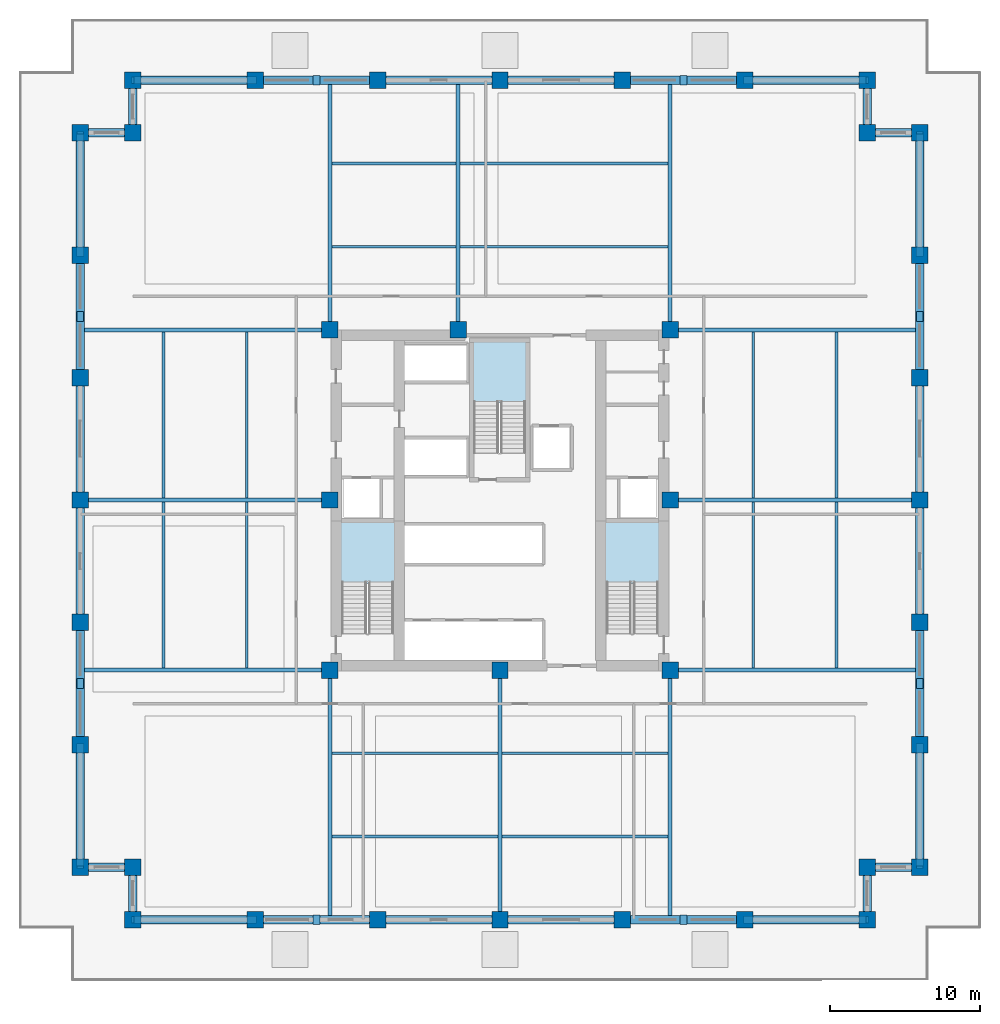
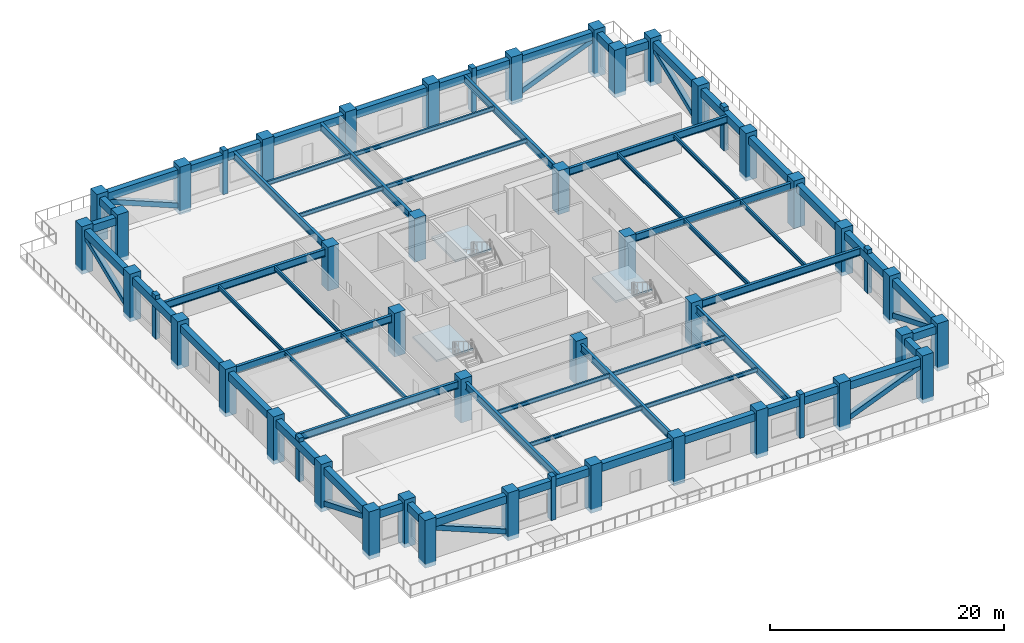
# One storey, part 1 of 13: 60 beams, 40 columns, 16 members, 3 slabs, 3 elements without a shape of their own.
"""IFC4 building model written with IfcOpenShell, lengths in metres."""

from ifc_helpers import new_model, si_unit, direction, frame, origin, origin_2d, place, context, subcontext, project, spatial, polyline, rectangle, hollow_rectangle, i_section, outline, extrude, material, layer, layer_set, material_profile, profile_set, type_object, element, aggregate, save


model = new_model("IFC4")

# Units and contexts
model_context = context("Model", 3, precision=1e-05, world=origin(), true_north=direction((0.0, 1.0)))
body_context = subcontext(model_context, "Body", "Model", "MODEL_VIEW")
ifc_project = project(units=[si_unit("LENGTHUNIT", "METRE"), si_unit("AREAUNIT", "SQUARE_METRE"), si_unit("VOLUMEUNIT", "CUBIC_METRE"), si_unit("PLANEANGLEUNIT", "RADIAN"), si_unit("MASSUNIT", "GRAM", prefix="KILO")], contexts=[model_context])

# Site, building, storey
site_placement = place(None, origin())
site = spatial("IfcSite", under=ifc_project, at=site_placement, CompositionType="ELEMENT")
building_placement = place(site_placement, origin())
building = spatial("IfcBuilding", under=site, at=building_placement, Name="Nhamokura Convention Tower", CompositionType="ELEMENT")
storey_placement = place(building_placement, frame((0.0, 0.0, 34.300048828125)))
storey = spatial("IfcBuildingStorey", under=building, at=storey_placement, Name="L06", CompositionType="ELEMENT", Elevation=34.300048828125)

# Columns
ifc_material_1 = material(Name="Concrete C60/75", Category="concrete")
ifc_material_profile_1 = material_profile(ifc_material_1, rectangle(XDim=1.10009765625, YDim=1.10009765625, at=origin_2d()))
ifc_profile_set_1 = profile_set([ifc_material_profile_1], Name="Concrete C60/75")
column_type = type_object("IfcColumnType", Name="TubeColumn_Z1_1100", PredefinedType="COLUMN", material=ifc_profile_set_1)
for number, where, z_axis, x_axis, name in (
    (1, (20.64990234375, 20.64990234375, 0.0), (0.0, 0.0, 1.0), (1.0, 0.0, 0.0), "L06 Core Column CC-SW"),
    (2, (32.0, 20.64990234375, 0.0), (0.0, 0.0, 1.0), (1.0, 0.0, 0.0), "L06 Core Column CC-S"),
    (3, (43.35009765625, 20.64990234375, 0.0), (0.0, 0.0, 1.0), (1.0, 0.0, 0.0), "L06 Core Column CC-SE"),
    (4, (43.35009765625, 32.0, 0.0), (0.0, 0.0, 1.0), (1.0, 0.0, 0.0), "L06 Core Column CC-E"),
    (5, (43.35009765625, 43.35009765625, 0.0), (0.0, 0.0, 1.0), (1.0, 0.0, 0.0), "L06 Core Column CC-NE"),
    (6, (29.199951171875, 43.35009765625, 0.0), (0.0, 0.0, 1.0), (1.0, 0.0, 0.0), "L06 Core Column CC-N"),
    (7, (20.64990234375, 43.35009765625, 0.0), (0.0, 0.0, 1.0), (1.0, 0.0, 0.0), "L06 Core Column CC-NW"),
    (8, (20.64990234375, 32.0, 0.0), (0.0, 0.0, 1.0), (1.0, 0.0, 0.0), "L06 Core Column CC-W"),
):
    element("IfcColumn", number, at=place(storey_placement, frame(where, z_axis=z_axis, x_axis=x_axis)), inside=storey, type_object=column_type, Name=name, PredefinedType="COLUMN", context=body_context, shape_type="SweptSolid", body=[
        extrude(rectangle(XDim=1.10009765625, YDim=1.10009765625, at=origin_2d()), origin(), (0.0, 0.0, 1.0), 4.550048828125),
    ])
for number, where, z_axis, x_axis, name in (
    (9, (7.5, 4.0, -0.420166015625), (0.0, 0.0, 1.0), (1.0, 0.0, 0.0), "L06 Perimeter Tube Column SW1"),
    (10, (7.5, 7.5, -0.420166015625), (0.0, 0.0, 1.0), (1.0, 0.0, 0.0), "L06 Perimeter Tube Column SW0"),
    (11, (4.0, 7.5, -0.420166015625), (0.0, 0.0, 1.0), (1.0, 0.0, 0.0), "L06 Perimeter Tube Column SW2"),
    (12, (56.5, 4.0, -0.420166015625), (0.0, 0.0, 1.0), (1.0, 0.0, 0.0), "L06 Perimeter Tube Column SE1"),
    (13, (56.5, 7.5, -0.420166015625), (0.0, 0.0, 1.0), (1.0, 0.0, 0.0), "L06 Perimeter Tube Column SE0"),
    (14, (60.0, 7.5, -0.420166015625), (0.0, 0.0, 1.0), (1.0, 0.0, 0.0), "L06 Perimeter Tube Column SE2"),
    (15, (60.0, 56.5, -0.420166015625), (0.0, 0.0, 1.0), (1.0, 0.0, 0.0), "L06 Perimeter Tube Column NE1"),
    (16, (56.5, 56.5, -0.420166015625), (0.0, 0.0, 1.0), (1.0, 0.0, 0.0), "L06 Perimeter Tube Column NE0"),
    (17, (56.5, 60.0, -0.420166015625), (0.0, 0.0, 1.0), (1.0, 0.0, 0.0), "L06 Perimeter Tube Column NE2"),
    (18, (7.5, 60.0, -0.420166015625), (0.0, 0.0, 1.0), (1.0, 0.0, 0.0), "L06 Perimeter Tube Column NW1"),
    (19, (7.5, 56.5, -0.420166015625), (0.0, 0.0, 1.0), (1.0, 0.0, 0.0), "L06 Perimeter Tube Column NW0"),
    (20, (4.0, 56.5, -0.420166015625), (0.0, 0.0, 1.0), (1.0, 0.0, 0.0), "L06 Perimeter Tube Column NW2"),
    (21, (15.666748046875, 4.0, -0.420166015625), (0.0, 0.0, 1.0), (1.0, 0.0, 0.0), "L06 Perimeter Tube Column S1"),
    (22, (15.666748046875, 60.0, -0.420166015625), (0.0, 0.0, 1.0), (1.0, 0.0, 0.0), "L06 Perimeter Tube Column N1"),
    (23, (4.0, 15.666748046875, -0.420166015625), (0.0, 0.0, 1.0), (1.0, 0.0, 0.0), "L06 Perimeter Tube Column W1"),
    (24, (60.0, 15.666748046875, -0.420166015625), (0.0, 0.0, 1.0), (1.0, 0.0, 0.0), "L06 Perimeter Tube Column E1"),
    (25, (23.833251953125, 4.0, -0.420166015625), (0.0, 0.0, 1.0), (1.0, 0.0, 0.0), "L06 Perimeter Tube Column S2"),
    (26, (23.833251953125, 60.0, -0.420166015625), (0.0, 0.0, 1.0), (1.0, 0.0, 0.0), "L06 Perimeter Tube Column N2"),
    (27, (4.0, 23.833251953125, -0.420166015625), (0.0, 0.0, 1.0), (1.0, 0.0, 0.0), "L06 Perimeter Tube Column W2"),
    (28, (60.0, 23.833251953125, -0.420166015625), (0.0, 0.0, 1.0), (1.0, 0.0, 0.0), "L06 Perimeter Tube Column E2"),
    (29, (32.0, 4.0, -0.420166015625), (0.0, 0.0, 1.0), (1.0, 0.0, 0.0), "L06 Perimeter Tube Column S3"),
    (30, (32.0, 60.0, -0.420166015625), (0.0, 0.0, 1.0), (1.0, 0.0, 0.0), "L06 Perimeter Tube Column N3"),
    (31, (4.0, 32.0, -0.420166015625), (0.0, 0.0, 1.0), (1.0, 0.0, 0.0), "L06 Perimeter Tube Column W3"),
    (32, (60.0, 32.0, -0.420166015625), (0.0, 0.0, 1.0), (1.0, 0.0, 0.0), "L06 Perimeter Tube Column E3"),
    (33, (40.166748046875, 4.0, -0.420166015625), (0.0, 0.0, 1.0), (1.0, 0.0, 0.0), "L06 Perimeter Tube Column S4"),
    (34, (40.166748046875, 60.0, -0.420166015625), (0.0, 0.0, 1.0), (1.0, 0.0, 0.0), "L06 Perimeter Tube Column N4"),
    (35, (4.0, 40.166748046875, -0.420166015625), (0.0, 0.0, 1.0), (1.0, 0.0, 0.0), "L06 Perimeter Tube Column W4"),
    (36, (60.0, 40.166748046875, -0.420166015625), (0.0, 0.0, 1.0), (1.0, 0.0, 0.0), "L06 Perimeter Tube Column E4"),
    (37, (48.333251953125, 4.0, -0.420166015625), (0.0, 0.0, 1.0), (1.0, 0.0, 0.0), "L06 Perimeter Tube Column S5"),
    (38, (48.333251953125, 60.0, -0.420166015625), (0.0, 0.0, 1.0), (1.0, 0.0, 0.0), "L06 Perimeter Tube Column N5"),
    (39, (4.0, 48.333251953125, -0.420166015625), (0.0, 0.0, 1.0), (1.0, 0.0, 0.0), "L06 Perimeter Tube Column W5"),
    (40, (60.0, 48.333251953125, -0.420166015625), (0.0, 0.0, 1.0), (1.0, 0.0, 0.0), "L06 Perimeter Tube Column E5"),
):
    element("IfcColumn", number, at=place(storey_placement, frame(where, z_axis=z_axis, x_axis=x_axis)), inside=storey, type_object=column_type, Name=name, PredefinedType="COLUMN", context=body_context, shape_type="SweptSolid", body=[
        extrude(rectangle(XDim=1.10009765625, YDim=1.10009765625, at=origin_2d()), origin(), (0.0, 0.0, 1.0), 4.97021484375),
    ])

# Members
ifc_material_2 = material(Name="Bronze-pigmented precast concrete C45/55", Category="concrete")
ifc_material_profile_2 = material_profile(ifc_material_2, rectangle(XDim=0.449951171875, YDim=0.64990234375, at=origin_2d()))
ifc_profile_set_2 = profile_set([ifc_material_profile_2], Name="Bronze-pigmented precast concrete C45/55")
member_type_1 = type_object("IfcMemberType", Name="BronzePilaster_650", PredefinedType="USERDEFINED", material=ifc_profile_set_2)
for number, where, z_axis, x_axis, name in (
    (41, (19.75, 4.0, 0.0), (0.0, 0.0, 1.0), (1.0, 0.0, 0.0), "L06 Engaged Frame Pilaster SOUTH 1"),
    (42, (44.25, 4.0, 0.0), (0.0, 0.0, 1.0), (1.0, 0.0, 0.0), "L06 Engaged Frame Pilaster SOUTH 4"),
    (43, (19.75, 60.0, 0.0), (0.0, 0.0, 1.0), (1.0, 0.0, 0.0), "L06 Engaged Frame Pilaster NORTH 1"),
    (44, (44.25, 60.0, 0.0), (0.0, 0.0, 1.0), (1.0, 0.0, 0.0), "L06 Engaged Frame Pilaster NORTH 4"),
    (45, (4.0, 19.75, 0.0), (0.0, 0.0, 1.0), (1.0, 0.0, 0.0), "L06 Engaged Frame Pilaster WEST 1"),
    (46, (4.0, 44.25, 0.0), (0.0, 0.0, 1.0), (1.0, 0.0, 0.0), "L06 Engaged Frame Pilaster WEST 4"),
    (47, (60.0, 19.75, 0.0), (0.0, 0.0, 1.0), (1.0, 0.0, 0.0), "L06 Engaged Frame Pilaster EAST 1"),
    (48, (60.0, 44.25, 0.0), (0.0, 0.0, 1.0), (1.0, 0.0, 0.0), "L06 Engaged Frame Pilaster EAST 4"),
):
    element("IfcMember", number, at=place(storey_placement, frame(where, z_axis=z_axis, x_axis=x_axis)), inside=storey, type_object=member_type_1, Name=name, ObjectType="PILASTER_TRIM", PredefinedType="USERDEFINED", context=body_context, shape_type="SweptSolid", body=[
        extrude(rectangle(XDim=0.449951171875, YDim=0.64990234375, at=origin_2d()), origin(), (0.0, 0.0, 1.0), 4.550048828125),
    ])

# Beams
ifc_material_3 = material(Name="Steel ASTM A992 Gr 50", Category="steel")
ifc_material_profile_3 = material_profile(ifc_material_3, i_section(OverallWidth=0.178955078125, OverallDepth=0.409912109375, WebThickness=0.0087890625, FlangeThickness=0.014404296875, at=origin_2d()))
ifc_profile_set_3 = profile_set([ifc_material_profile_3], Name="Steel ASTM A992 Gr 50")
beam_type_1 = type_object("IfcBeamType", Name="FloorJoist_W410X67", PredefinedType="JOIST", material=ifc_profile_set_3)
for number, where, z_axis, x_axis, name in (
    (49, (20.781982421875, 9.550048828125, 3.925048828125), (1.0, 0.0, 0.0), (0.0, 1.0, 0.0), "L06 Composite Floor Joist S1A"),
    (50, (32.132080078125, 9.550048828125, 3.925048828125), (1.0, 0.0, 0.0), (0.0, 1.0, 0.0), "L06 Composite Floor Joist S1B"),
    (51, (20.781982421875, 15.10009765625, 3.925048828125), (1.0, 0.0, 0.0), (0.0, 1.0, 0.0), "L06 Composite Floor Joist S2A"),
    (52, (32.132080078125, 15.10009765625, 3.925048828125), (1.0, 0.0, 0.0), (0.0, 1.0, 0.0), "L06 Composite Floor Joist S2B"),
):
    element("IfcBeam", number, at=place(storey_placement, frame(where, z_axis=z_axis, x_axis=x_axis)), inside=storey, type_object=beam_type_1, Name=name, PredefinedType="JOIST", context=body_context, shape_type="SweptSolid", body=[
        extrude(i_section(OverallWidth=0.178955078125, OverallDepth=0.409912109375, WebThickness=0.0087890625, FlangeThickness=0.014404296875, at=origin_2d()), origin(), (0.0, 0.0, 1.0), 11.0859375),
    ])
beam_1_placement = place(storey_placement, frame((20.781982421875, 48.89990234375, 3.925048828125), z_axis=(1.0, 0.0, 0.0), x_axis=(0.0, 1.0, 0.0)))
element("IfcBeam", 53, at=beam_1_placement, inside=storey, type_object=beam_type_1, Name="L06 Composite Floor Joist N1A", PredefinedType="JOIST", context=body_context, shape_type="SweptSolid", body=[
    extrude(i_section(OverallWidth=0.178955078125, OverallDepth=0.409912109375, WebThickness=0.0087890625, FlangeThickness=0.014404296875, at=origin_2d()), origin(), (0.0, 0.0, 1.0), 8.2861328125),
])
beam_2_placement = place(storey_placement, frame((29.33203125, 48.89990234375, 3.925048828125), z_axis=(1.0, 0.0, 0.0), x_axis=(0.0, 1.0, 0.0)))
element("IfcBeam", 54, at=beam_2_placement, inside=storey, type_object=beam_type_1, Name="L06 Composite Floor Joist N1B", PredefinedType="JOIST", context=body_context, shape_type="SweptSolid", body=[
    extrude(i_section(OverallWidth=0.178955078125, OverallDepth=0.409912109375, WebThickness=0.0087890625, FlangeThickness=0.014404296875, at=origin_2d()), origin(), (0.0, 0.0, 1.0), 13.885986328125),
])
beam_3_placement = place(storey_placement, frame((20.781982421875, 54.449951171875, 3.925048828125), z_axis=(1.0, 0.0, 0.0), x_axis=(0.0, 1.0, 0.0)))
element("IfcBeam", 55, at=beam_3_placement, inside=storey, type_object=beam_type_1, Name="L06 Composite Floor Joist N2A", PredefinedType="JOIST", context=body_context, shape_type="SweptSolid", body=[
    extrude(i_section(OverallWidth=0.178955078125, OverallDepth=0.409912109375, WebThickness=0.0087890625, FlangeThickness=0.014404296875, at=origin_2d()), origin(), (0.0, 0.0, 1.0), 8.2861328125),
])
beam_4_placement = place(storey_placement, frame((29.33203125, 54.449951171875, 3.925048828125), z_axis=(1.0, 0.0, 0.0), x_axis=(0.0, 1.0, 0.0)))
element("IfcBeam", 56, at=beam_4_placement, inside=storey, type_object=beam_type_1, Name="L06 Composite Floor Joist N2B", PredefinedType="JOIST", context=body_context, shape_type="SweptSolid", body=[
    extrude(i_section(OverallWidth=0.178955078125, OverallDepth=0.409912109375, WebThickness=0.0087890625, FlangeThickness=0.014404296875, at=origin_2d()), origin(), (0.0, 0.0, 1.0), 13.885986328125),
])
for number, where, z_axis, x_axis, name in (
    (57, (9.550048828125, 20.781982421875, 3.925048828125), (0.0, 1.0, 0.0), (-1.0, 0.0, 0.0), "L06 Composite Floor Joist W1A"),
    (58, (9.550048828125, 32.132080078125, 3.925048828125), (0.0, 1.0, 0.0), (-1.0, 0.0, 0.0), "L06 Composite Floor Joist W1B"),
    (59, (15.10009765625, 20.781982421875, 3.925048828125), (0.0, 1.0, 0.0), (-1.0, 0.0, 0.0), "L06 Composite Floor Joist W2A"),
    (60, (15.10009765625, 32.132080078125, 3.925048828125), (0.0, 1.0, 0.0), (-1.0, 0.0, 0.0), "L06 Composite Floor Joist W2B"),
    (61, (48.89990234375, 20.781982421875, 3.925048828125), (0.0, 1.0, 0.0), (-1.0, 0.0, 0.0), "L06 Composite Floor Joist E1A"),
    (62, (48.89990234375, 32.132080078125, 3.925048828125), (0.0, 1.0, 0.0), (-1.0, 0.0, 0.0), "L06 Composite Floor Joist E1B"),
    (63, (54.449951171875, 20.781982421875, 3.925048828125), (0.0, 1.0, 0.0), (-1.0, 0.0, 0.0), "L06 Composite Floor Joist E2A"),
    (64, (54.449951171875, 32.132080078125, 3.925048828125), (0.0, 1.0, 0.0), (-1.0, 0.0, 0.0), "L06 Composite Floor Joist E2B"),
):
    element("IfcBeam", number, at=place(storey_placement, frame(where, z_axis=z_axis, x_axis=x_axis)), inside=storey, type_object=beam_type_1, Name=name, PredefinedType="JOIST", context=body_context, shape_type="SweptSolid", body=[
        extrude(i_section(OverallWidth=0.178955078125, OverallDepth=0.409912109375, WebThickness=0.0087890625, FlangeThickness=0.014404296875, at=origin_2d()), origin(), (0.0, 0.0, 1.0), 11.0859375),
    ])
ifc_material_4 = material(Name="Steel ASTM A992 Gr 50", Category="steel")
ifc_material_profile_4 = material_profile(ifc_material_4, i_section(OverallWidth=0.26806640625, OverallDepth=0.77001953125, WebThickness=0.015625, FlangeThickness=0.025390625, at=origin_2d()))
ifc_profile_set_4 = profile_set([ifc_material_profile_4], Name="Steel ASTM A992 Gr 50")
beam_type_2 = type_object("IfcBeamType", Name="PrimaryGirder_W760X196", PredefinedType="BEAM", material=ifc_profile_set_4)
for number, where, z_axis, x_axis, name in (
    (65, (20.64990234375, 4.0, 3.744873046875), (0.0, 1.0, 0.0), (-1.0, 0.0, 0.0), "L06 Primary Floor Girder PG-S1"),
    (66, (32.0, 4.0, 3.744873046875), (0.0, 1.0, 0.0), (-1.0, 0.0, 0.0), "L06 Primary Floor Girder PG-S2"),
    (67, (43.35009765625, 4.0, 3.744873046875), (0.0, 1.0, 0.0), (-1.0, 0.0, 0.0), "L06 Primary Floor Girder PG-S3"),
    (68, (20.64990234375, 43.35009765625, 3.744873046875), (0.0, 1.0, 0.0), (-1.0, 0.0, 0.0), "L06 Primary Floor Girder PG-N1"),
    (69, (29.199951171875, 43.35009765625, 3.744873046875), (0.0, 1.0, 0.0), (-1.0, 0.0, 0.0), "L06 Primary Floor Girder PG-N2"),
    (70, (43.35009765625, 43.35009765625, 3.744873046875), (0.0, 1.0, 0.0), (-1.0, 0.0, 0.0), "L06 Primary Floor Girder PG-N3"),
    (71, (4.0, 20.64990234375, 3.744873046875), (1.0, 0.0, 0.0), (0.0, 1.0, 0.0), "L06 Primary Floor Girder PG-W1"),
    (72, (4.0, 32.0, 3.744873046875), (1.0, 0.0, 0.0), (0.0, 1.0, 0.0), "L06 Primary Floor Girder PG-W2"),
    (73, (4.0, 43.35009765625, 3.744873046875), (1.0, 0.0, 0.0), (0.0, 1.0, 0.0), "L06 Primary Floor Girder PG-W3"),
    (74, (43.35009765625, 20.64990234375, 3.744873046875), (1.0, 0.0, 0.0), (0.0, 1.0, 0.0), "L06 Primary Floor Girder PG-E1"),
    (75, (43.35009765625, 32.0, 3.744873046875), (1.0, 0.0, 0.0), (0.0, 1.0, 0.0), "L06 Primary Floor Girder PG-E2"),
    (76, (43.35009765625, 43.35009765625, 3.744873046875), (1.0, 0.0, 0.0), (0.0, 1.0, 0.0), "L06 Primary Floor Girder PG-E3"),
):
    element("IfcBeam", number, at=place(storey_placement, frame(where, z_axis=z_axis, x_axis=x_axis)), inside=storey, type_object=beam_type_2, Name=name, PredefinedType="BEAM", context=body_context, shape_type="SweptSolid", body=[
        extrude(i_section(OverallWidth=0.26806640625, OverallDepth=0.77001953125, WebThickness=0.015625, FlangeThickness=0.025390625, at=origin_2d()), origin(), (0.0, 0.0, 1.0), 16.64990234375),
    ])

# Members
ifc_material_5 = material(Name="Steel ASTM A572 Gr 50", Category="steel")
ifc_material_profile_5 = material_profile(ifc_material_5, hollow_rectangle(XDim=0.5, YDim=0.5, WallThickness=0.02490234375, at=origin_2d()))
ifc_profile_set_5 = profile_set([ifc_material_profile_5], Name="Steel ASTM A572 Gr 50")
member_type_2 = type_object("IfcMemberType", Name="TubeBrace_HSS500", PredefinedType="BRACE", material=ifc_profile_set_5)
for number, where, z_axis, x_axis, name in (
    (77, (15.666748046875, 4.0, 0.14990234375), (-0.925978041029, 0.0, 0.377577366286), (0.0, -1.0, 0.0), "L06 Perimeter Tube Brace SOUTH Bay 0"),
    (78, (48.333251953125, 4.0, 0.14990234375), (0.925978041029, 0.0, 0.377577366286), (0.0, 1.0, 0.0), "L06 Perimeter Tube Brace SOUTH Bay 5"),
    (79, (15.666748046875, 60.0, 0.14990234375), (-0.925978041029, 0.0, 0.377577366286), (0.0, -1.0, 0.0), "L06 Perimeter Tube Brace NORTH Bay 0"),
    (80, (48.333251953125, 60.0, 0.14990234375), (0.925978041029, 0.0, 0.377577366286), (0.0, 1.0, 0.0), "L06 Perimeter Tube Brace NORTH Bay 5"),
    (81, (4.0, 15.666748046875, 0.14990234375), (0.0, -0.925978041029, 0.377577366286), (1.0, 0.0, 0.0), "L06 Perimeter Tube Brace WEST Bay 0"),
    (82, (4.0, 48.333251953125, 0.14990234375), (0.0, 0.925978041029, 0.377577366286), (-1.0, 0.0, 0.0), "L06 Perimeter Tube Brace WEST Bay 5"),
    (83, (60.0, 15.666748046875, 0.14990234375), (0.0, -0.925978041029, 0.377577366286), (1.0, 0.0, 0.0), "L06 Perimeter Tube Brace EAST Bay 0"),
    (84, (60.0, 48.333251953125, 0.14990234375), (0.0, 0.925978041029, 0.377577366286), (-1.0, 0.0, 0.0), "L06 Perimeter Tube Brace EAST Bay 5"),
):
    element("IfcMember", number, at=place(storey_placement, frame(where, z_axis=z_axis, x_axis=x_axis)), inside=storey, type_object=member_type_2, Name=name, PredefinedType="BRACE", context=body_context, shape_type="SweptSolid", body=[
        extrude(hollow_rectangle(XDim=0.5, YDim=0.5, WallThickness=0.02490234375, at=origin_2d()), origin(), (0.0, 0.0, 1.0), 8.819580078125),
    ])

# Beams
ifc_material_6 = material(Name="Concrete C50/60", Category="concrete")
ifc_material_profile_6 = material_profile(ifc_material_6, rectangle(XDim=0.550048828125, YDim=0.800048828125, at=origin_2d()))
ifc_profile_set_6 = profile_set([ifc_material_profile_6], Name="Concrete C50/60")
beam_type_3 = type_object("IfcBeamType", Name="TubeSpandrel_800", PredefinedType="SPANDREL", material=ifc_profile_set_6)
beam_5_placement = place(storey_placement, frame((7.5, 4.0, 3.72998046875), z_axis=(1.0, 0.0, 0.0), x_axis=(0.0, 1.0, 0.0)))
element("IfcBeam", 85, at=beam_5_placement, inside=storey, type_object=beam_type_3, Name="L06 Perimeter Spandrel SOUTH 1", PredefinedType="SPANDREL", context=body_context, shape_type="SweptSolid", body=[
    extrude(rectangle(XDim=0.550048828125, YDim=0.800048828125, at=origin_2d()), origin(), (0.0, 0.0, 1.0), 8.166748046875),
])
beam_6_placement = place(storey_placement, frame((15.666748046875, 4.0, 3.72998046875), z_axis=(1.0, 0.0, 0.0), x_axis=(0.0, 1.0, 0.0)))
element("IfcBeam", 86, at=beam_6_placement, inside=storey, type_object=beam_type_3, Name="L06 Perimeter Spandrel SOUTH 2", PredefinedType="SPANDREL", context=body_context, shape_type="SweptSolid", body=[
    extrude(rectangle(XDim=0.550048828125, YDim=0.800048828125, at=origin_2d()), origin(), (0.0, 0.0, 1.0), 8.16650390625),
])
for number, where, z_axis, x_axis, name in (
    (87, (23.833251953125, 4.0, 3.72998046875), (1.0, 0.0, 0.0), (0.0, 1.0, 0.0), "L06 Perimeter Spandrel SOUTH 3"),
    (88, (32.0, 4.0, 3.72998046875), (1.0, 0.0, 0.0), (0.0, 1.0, 0.0), "L06 Perimeter Spandrel SOUTH 4"),
):
    element("IfcBeam", number, at=place(storey_placement, frame(where, z_axis=z_axis, x_axis=x_axis)), inside=storey, type_object=beam_type_3, Name=name, PredefinedType="SPANDREL", context=body_context, shape_type="SweptSolid", body=[
        extrude(rectangle(XDim=0.550048828125, YDim=0.800048828125, at=origin_2d()), origin(), (0.0, 0.0, 1.0), 8.166748046875),
    ])
beam_7_placement = place(storey_placement, frame((40.166748046875, 4.0, 3.72998046875), z_axis=(1.0, 0.0, 0.0), x_axis=(0.0, 1.0, 0.0)))
element("IfcBeam", 89, at=beam_7_placement, inside=storey, type_object=beam_type_3, Name="L06 Perimeter Spandrel SOUTH 5", PredefinedType="SPANDREL", context=body_context, shape_type="SweptSolid", body=[
    extrude(rectangle(XDim=0.550048828125, YDim=0.800048828125, at=origin_2d()), origin(), (0.0, 0.0, 1.0), 8.16650390625),
])
for number, where, z_axis, x_axis, name in (
    (90, (48.333251953125, 4.0, 3.72998046875), (1.0, 0.0, 0.0), (0.0, 1.0, 0.0), "L06 Perimeter Spandrel SOUTH 6"),
    (91, (7.5, 60.0, 3.72998046875), (1.0, 0.0, 0.0), (0.0, 1.0, 0.0), "L06 Perimeter Spandrel NORTH 1"),
):
    element("IfcBeam", number, at=place(storey_placement, frame(where, z_axis=z_axis, x_axis=x_axis)), inside=storey, type_object=beam_type_3, Name=name, PredefinedType="SPANDREL", context=body_context, shape_type="SweptSolid", body=[
        extrude(rectangle(XDim=0.550048828125, YDim=0.800048828125, at=origin_2d()), origin(), (0.0, 0.0, 1.0), 8.166748046875),
    ])
beam_8_placement = place(storey_placement, frame((15.666748046875, 60.0, 3.72998046875), z_axis=(1.0, 0.0, 0.0), x_axis=(0.0, 1.0, 0.0)))
element("IfcBeam", 92, at=beam_8_placement, inside=storey, type_object=beam_type_3, Name="L06 Perimeter Spandrel NORTH 2", PredefinedType="SPANDREL", context=body_context, shape_type="SweptSolid", body=[
    extrude(rectangle(XDim=0.550048828125, YDim=0.800048828125, at=origin_2d()), origin(), (0.0, 0.0, 1.0), 8.16650390625),
])
for number, where, z_axis, x_axis, name in (
    (93, (23.833251953125, 60.0, 3.72998046875), (1.0, 0.0, 0.0), (0.0, 1.0, 0.0), "L06 Perimeter Spandrel NORTH 3"),
    (94, (32.0, 60.0, 3.72998046875), (1.0, 0.0, 0.0), (0.0, 1.0, 0.0), "L06 Perimeter Spandrel NORTH 4"),
):
    element("IfcBeam", number, at=place(storey_placement, frame(where, z_axis=z_axis, x_axis=x_axis)), inside=storey, type_object=beam_type_3, Name=name, PredefinedType="SPANDREL", context=body_context, shape_type="SweptSolid", body=[
        extrude(rectangle(XDim=0.550048828125, YDim=0.800048828125, at=origin_2d()), origin(), (0.0, 0.0, 1.0), 8.166748046875),
    ])
beam_9_placement = place(storey_placement, frame((40.166748046875, 60.0, 3.72998046875), z_axis=(1.0, 0.0, 0.0), x_axis=(0.0, 1.0, 0.0)))
element("IfcBeam", 95, at=beam_9_placement, inside=storey, type_object=beam_type_3, Name="L06 Perimeter Spandrel NORTH 5", PredefinedType="SPANDREL", context=body_context, shape_type="SweptSolid", body=[
    extrude(rectangle(XDim=0.550048828125, YDim=0.800048828125, at=origin_2d()), origin(), (0.0, 0.0, 1.0), 8.16650390625),
])
for number, where, z_axis, x_axis, name in (
    (96, (48.333251953125, 60.0, 3.72998046875), (1.0, 0.0, 0.0), (0.0, 1.0, 0.0), "L06 Perimeter Spandrel NORTH 6"),
    (97, (4.0, 7.5, 3.72998046875), (0.0, 1.0, 0.0), (-1.0, 0.0, 0.0), "L06 Perimeter Spandrel WEST 1"),
):
    element("IfcBeam", number, at=place(storey_placement, frame(where, z_axis=z_axis, x_axis=x_axis)), inside=storey, type_object=beam_type_3, Name=name, PredefinedType="SPANDREL", context=body_context, shape_type="SweptSolid", body=[
        extrude(rectangle(XDim=0.550048828125, YDim=0.800048828125, at=origin_2d()), origin(), (0.0, 0.0, 1.0), 8.166748046875),
    ])
beam_10_placement = place(storey_placement, frame((4.0, 15.666748046875, 3.72998046875), z_axis=(0.0, 1.0, 0.0), x_axis=(-1.0, 0.0, 0.0)))
element("IfcBeam", 98, at=beam_10_placement, inside=storey, type_object=beam_type_3, Name="L06 Perimeter Spandrel WEST 2", PredefinedType="SPANDREL", context=body_context, shape_type="SweptSolid", body=[
    extrude(rectangle(XDim=0.550048828125, YDim=0.800048828125, at=origin_2d()), origin(), (0.0, 0.0, 1.0), 8.16650390625),
])
for number, where, z_axis, x_axis, name in (
    (99, (4.0, 23.833251953125, 3.72998046875), (0.0, 1.0, 0.0), (-1.0, 0.0, 0.0), "L06 Perimeter Spandrel WEST 3"),
    (100, (4.0, 32.0, 3.72998046875), (0.0, 1.0, 0.0), (-1.0, 0.0, 0.0), "L06 Perimeter Spandrel WEST 4"),
):
    element("IfcBeam", number, at=place(storey_placement, frame(where, z_axis=z_axis, x_axis=x_axis)), inside=storey, type_object=beam_type_3, Name=name, PredefinedType="SPANDREL", context=body_context, shape_type="SweptSolid", body=[
        extrude(rectangle(XDim=0.550048828125, YDim=0.800048828125, at=origin_2d()), origin(), (0.0, 0.0, 1.0), 8.166748046875),
    ])
beam_11_placement = place(storey_placement, frame((4.0, 40.166748046875, 3.72998046875), z_axis=(0.0, 1.0, 0.0), x_axis=(-1.0, 0.0, 0.0)))
element("IfcBeam", 101, at=beam_11_placement, inside=storey, type_object=beam_type_3, Name="L06 Perimeter Spandrel WEST 5", PredefinedType="SPANDREL", context=body_context, shape_type="SweptSolid", body=[
    extrude(rectangle(XDim=0.550048828125, YDim=0.800048828125, at=origin_2d()), origin(), (0.0, 0.0, 1.0), 8.16650390625),
])
for number, where, z_axis, x_axis, name in (
    (102, (4.0, 48.333251953125, 3.72998046875), (0.0, 1.0, 0.0), (-1.0, 0.0, 0.0), "L06 Perimeter Spandrel WEST 6"),
    (103, (60.0, 7.5, 3.72998046875), (0.0, 1.0, 0.0), (-1.0, 0.0, 0.0), "L06 Perimeter Spandrel EAST 1"),
):
    element("IfcBeam", number, at=place(storey_placement, frame(where, z_axis=z_axis, x_axis=x_axis)), inside=storey, type_object=beam_type_3, Name=name, PredefinedType="SPANDREL", context=body_context, shape_type="SweptSolid", body=[
        extrude(rectangle(XDim=0.550048828125, YDim=0.800048828125, at=origin_2d()), origin(), (0.0, 0.0, 1.0), 8.166748046875),
    ])
beam_12_placement = place(storey_placement, frame((60.0, 15.666748046875, 3.72998046875), z_axis=(0.0, 1.0, 0.0), x_axis=(-1.0, 0.0, 0.0)))
element("IfcBeam", 104, at=beam_12_placement, inside=storey, type_object=beam_type_3, Name="L06 Perimeter Spandrel EAST 2", PredefinedType="SPANDREL", context=body_context, shape_type="SweptSolid", body=[
    extrude(rectangle(XDim=0.550048828125, YDim=0.800048828125, at=origin_2d()), origin(), (0.0, 0.0, 1.0), 8.16650390625),
])
for number, where, z_axis, x_axis, name in (
    (105, (60.0, 23.833251953125, 3.72998046875), (0.0, 1.0, 0.0), (-1.0, 0.0, 0.0), "L06 Perimeter Spandrel EAST 3"),
    (106, (60.0, 32.0, 3.72998046875), (0.0, 1.0, 0.0), (-1.0, 0.0, 0.0), "L06 Perimeter Spandrel EAST 4"),
):
    element("IfcBeam", number, at=place(storey_placement, frame(where, z_axis=z_axis, x_axis=x_axis)), inside=storey, type_object=beam_type_3, Name=name, PredefinedType="SPANDREL", context=body_context, shape_type="SweptSolid", body=[
        extrude(rectangle(XDim=0.550048828125, YDim=0.800048828125, at=origin_2d()), origin(), (0.0, 0.0, 1.0), 8.166748046875),
    ])
beam_13_placement = place(storey_placement, frame((60.0, 40.166748046875, 3.72998046875), z_axis=(0.0, 1.0, 0.0), x_axis=(-1.0, 0.0, 0.0)))
element("IfcBeam", 107, at=beam_13_placement, inside=storey, type_object=beam_type_3, Name="L06 Perimeter Spandrel EAST 5", PredefinedType="SPANDREL", context=body_context, shape_type="SweptSolid", body=[
    extrude(rectangle(XDim=0.550048828125, YDim=0.800048828125, at=origin_2d()), origin(), (0.0, 0.0, 1.0), 8.16650390625),
])
beam_14_placement = place(storey_placement, frame((60.0, 48.333251953125, 3.72998046875), z_axis=(0.0, 1.0, 0.0), x_axis=(-1.0, 0.0, 0.0)))
element("IfcBeam", 108, at=beam_14_placement, inside=storey, type_object=beam_type_3, Name="L06 Perimeter Spandrel EAST 6", PredefinedType="SPANDREL", context=body_context, shape_type="SweptSolid", body=[
    extrude(rectangle(XDim=0.550048828125, YDim=0.800048828125, at=origin_2d()), origin(), (0.0, 0.0, 1.0), 8.166748046875),
])
for number, where, z_axis, x_axis, name in (
    (109, (7.5, 4.0, 3.72998046875), (0.0, 1.0, 0.0), (-1.0, 0.0, 0.0), "L06 Notch Spandrel SW1"),
    (110, (7.5, 7.5, 3.72998046875), (-1.0, 0.0, 0.0), (0.0, -1.0, 0.0), "L06 Notch Spandrel SW2"),
    (111, (56.5, 4.0, 3.72998046875), (0.0, 1.0, 0.0), (-1.0, 0.0, 0.0), "L06 Notch Spandrel SE1"),
    (112, (56.5, 7.5, 3.72998046875), (1.0, 0.0, 0.0), (0.0, 1.0, 0.0), "L06 Notch Spandrel SE2"),
    (113, (60.0, 56.5, 3.72998046875), (-1.0, 0.0, 0.0), (0.0, -1.0, 0.0), "L06 Notch Spandrel NE1"),
    (114, (56.5, 56.5, 3.72998046875), (0.0, 1.0, 0.0), (-1.0, 0.0, 0.0), "L06 Notch Spandrel NE2"),
    (115, (7.5, 60.0, 3.72998046875), (0.0, -1.0, 0.0), (1.0, 0.0, 0.0), "L06 Notch Spandrel NW1"),
    (116, (7.5, 56.5, 3.72998046875), (-1.0, 0.0, 0.0), (0.0, -1.0, 0.0), "L06 Notch Spandrel NW2"),
):
    element("IfcBeam", number, at=place(storey_placement, frame(where, z_axis=z_axis, x_axis=x_axis)), inside=storey, type_object=beam_type_3, Name=name, PredefinedType="SPANDREL", context=body_context, shape_type="SweptSolid", body=[
        extrude(rectangle(XDim=0.550048828125, YDim=0.800048828125, at=origin_2d()), origin(), (0.0, 0.0, 1.0), 3.5),
    ])

# Stair, slab
ifc_material_7 = material(Name="Concrete C40/50", Category="concrete")
stair_type = type_object("IfcStairType", Name="TowerCoreStair_1650", PredefinedType="HALF_TURN_STAIR", material=ifc_material_7)
stair_1_placement = place(storey_placement, origin())
stair_1 = element("IfcStair", 117, at=stair_1_placement, inside=storey, type_object=stair_type, Name="L06 West Core Smokeproof Stair ST-01", PredefinedType="HALF_TURN_STAIR")
ifc_material_8 = material(Name="Concrete C40/50", Category="concrete")
ifc_layer = layer(ifc_material_8, 0.199951171875)
ifc_layer_set = layer_set([ifc_layer], Name="StairLandingSlab_200")
slab_type = type_object("IfcSlabType", Name="StairLandingSlab_200", PredefinedType="LANDING", material=ifc_layer_set)
slab_1_placement = place(storey_placement, frame((0.0, 0.0, 2.074951171875)))
slab_1 = element("IfcSlab", 118, at=slab_1_placement, type_object=slab_type, Name="ST-01 landing 1", PredefinedType="LANDING", context=body_context, shape_type="SweptSolid", body=[
    extrude(outline(polyline([(24.97998046875, 26.43994140625), (24.97998046875, 30.530029296875), (21.3701171875, 30.530029296875), (21.3701171875, 26.43994140625), (24.97998046875, 26.43994140625)])), origin(), (0.0, 0.0, 1.0), 0.199951171875),
])
aggregate(stair_1, [slab_1])

stair_2_placement = place(storey_placement, origin())
stair_2 = element("IfcStair", 119, at=stair_2_placement, inside=storey, type_object=stair_type, Name="L06 East Core Smokeproof Stair ST-02", PredefinedType="HALF_TURN_STAIR")
slab_2_placement = place(storey_placement, frame((0.0, 0.0, 2.074951171875)))
slab_2 = element("IfcSlab", 120, at=slab_2_placement, type_object=slab_type, Name="ST-02 landing 1", PredefinedType="LANDING", context=body_context, shape_type="SweptSolid", body=[
    extrude(outline(polyline([(42.6298828125, 26.43994140625), (42.6298828125, 30.530029296875), (39.02001953125, 30.530029296875), (39.02001953125, 26.43994140625), (42.6298828125, 26.43994140625)])), origin(), (0.0, 0.0, 1.0), 0.199951171875),
])
aggregate(stair_2, [slab_2])

stair_3_placement = place(storey_placement, origin())
stair_3 = element("IfcStair", 121, at=stair_3_placement, inside=storey, type_object=stair_type, Name="L06 North Core Smokeproof Stair ST-03", PredefinedType="HALF_TURN_STAIR")
slab_3_placement = place(storey_placement, frame((0.0, 0.0, 2.074951171875)))
slab_3 = element("IfcSlab", 122, at=slab_3_placement, type_object=slab_type, Name="ST-03 landing 1", PredefinedType="LANDING", context=body_context, shape_type="SweptSolid", body=[
    extrude(outline(polyline([(33.780029296875, 38.489990234375), (33.780029296875, 42.580078125), (30.169921875, 42.580078125), (30.169921875, 38.489990234375), (33.780029296875, 38.489990234375)])), origin(), (0.0, 0.0, 1.0), 0.199951171875),
])
aggregate(stair_3, [slab_3])

save(model, "model.ifc")
